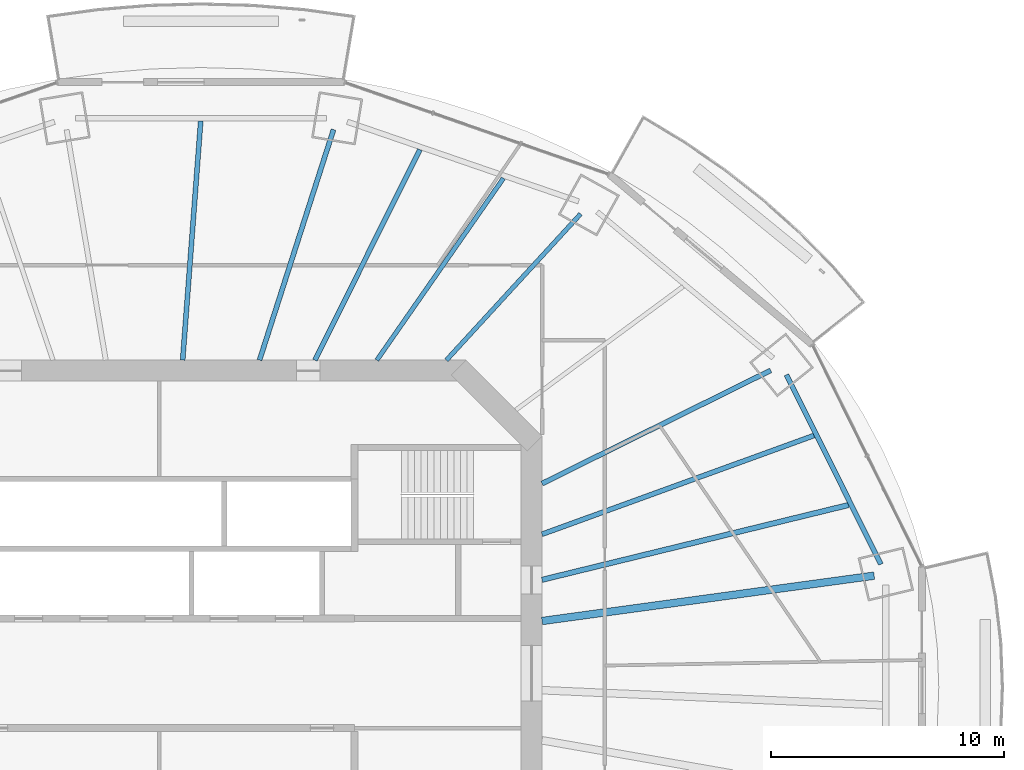
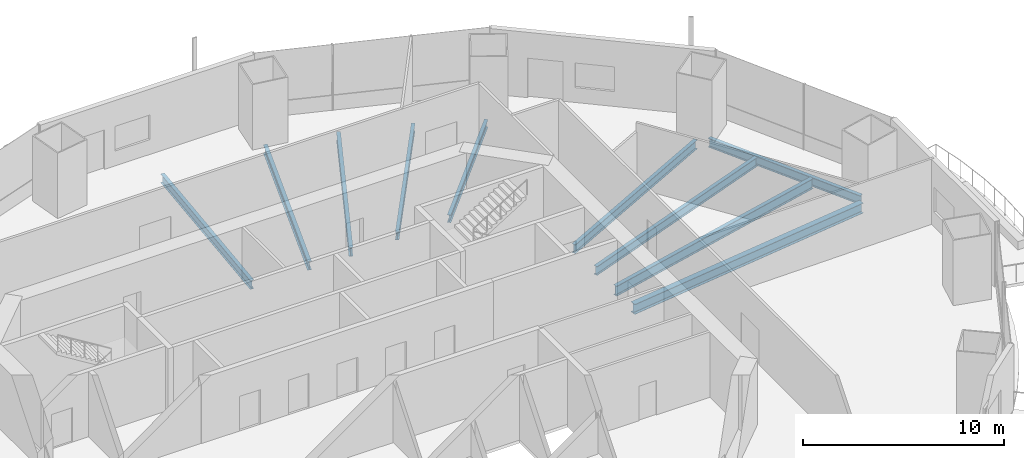
# One storey, part 7 of 21: 10 beams.
"""IFC4 building model written with IfcOpenShell, lengths in metres."""

from ifc_helpers import new_model, si_unit, direction, frame, origin, origin_2d, place, context, subcontext, project, spatial, i_section, extrude, material, material_profile, profile_set, type_object, element, save


model = new_model("IFC4")

# Units and contexts
model_context = context("Model", 3, precision=1e-05, world=origin(), true_north=direction((0.0, 1.0)))
body_context = subcontext(model_context, "Body", "Model", "MODEL_VIEW")
ifc_project = project(units=[si_unit("LENGTHUNIT", "METRE"), si_unit("AREAUNIT", "SQUARE_METRE"), si_unit("VOLUMEUNIT", "CUBIC_METRE"), si_unit("PLANEANGLEUNIT", "RADIAN"), si_unit("MASSUNIT", "GRAM", prefix="KILO")], contexts=[model_context])

# Site, building, storey
site_placement = place(None, origin())
site = spatial("IfcSite", under=ifc_project, at=site_placement, CompositionType="ELEMENT")
building_placement = place(site_placement, origin())
building = spatial("IfcBuilding", under=site, at=building_placement, Name="Marenthal Gate Tower", CompositionType="ELEMENT")
storey_placement = place(building_placement, frame((0.0, 0.0, 206.699951171875)))
storey = spatial("IfcBuildingStorey", under=building, at=storey_placement, Name="L45", CompositionType="ELEMENT", Elevation=206.699951171875)

# Beams
ifc_material_1 = material(Name="Steel S355", Category="steel")
ifc_material_profile_1 = material_profile(ifc_material_1, i_section(OverallWidth=0.193115234375, OverallDepth=0.467041015625, WebThickness=0.011474609375, FlangeThickness=0.01904296875, FilletRadius=0.010009765625, at=origin_2d()), Name="W460X97")
ifc_profile_set_1 = profile_set([ifc_material_profile_1], Name="Steel S355")
beam_type_1 = type_object("IfcBeamType", Name="W460X97 beam", PredefinedType="BEAM", material=ifc_profile_set_1)
beam_1_placement = place(storey_placement, frame((18.10546875, 19.726806640625, -0.413330078125), z_axis=(-0.676183850406, -0.73673292342, 0.0), x_axis=(0.73673292342, -0.676183850406, 0.0)))
element("IfcBeam", 1, at=beam_1_placement, inside=storey, type_object=beam_type_1, Name="BM-L45-03", PredefinedType="BEAM", context=body_context, shape_type="SweptSolid", body=[
    extrude(i_section(OverallWidth=0.193115234375, OverallDepth=0.467041015625, WebThickness=0.011474609375, FlangeThickness=0.01904296875, FilletRadius=0.010009765625, at=origin_2d()), origin(), (0.0, 0.0, 1.0), 8.519775390625),
])
beam_2_placement = place(storey_placement, frame((14.790771484375, 21.258544921875, -0.413330078125), z_axis=(-0.571120884229, -0.820865966889, 0.0), x_axis=(0.820865966889, -0.571120884229, 0.0)))
element("IfcBeam", 2, at=beam_2_placement, inside=storey, type_object=beam_type_1, Name="BM-L45-20", PredefinedType="BEAM", context=body_context, shape_type="SweptSolid", body=[
    extrude(i_section(OverallWidth=0.193115234375, OverallDepth=0.467041015625, WebThickness=0.011474609375, FlangeThickness=0.01904296875, FilletRadius=0.010009765625, at=origin_2d()), origin(), (0.0, 0.0, 1.0), 9.5126953125),
])
ifc_material_2 = material(Name="Steel S355", Category="steel")
ifc_material_profile_2 = material_profile(ifc_material_2, i_section(OverallWidth=0.2099609375, OverallDepth=0.535888671875, WebThickness=0.010986328125, FlangeThickness=0.017333984375, FilletRadius=0.0126953125, at=origin_2d()), Name="W530X101")
ifc_profile_set_2 = profile_set([ifc_material_profile_2], Name="Steel S355")
beam_type_2 = type_object("IfcBeamType", Name="W530X101 beam", PredefinedType="BEAM", material=ifc_profile_set_2)
beam_3_placement = place(storey_placement, frame((11.20361328125, 22.492919921875, -0.447998046875), z_axis=(-0.445859796425, -0.895102810817, 0.0), x_axis=(0.895102810817, -0.445859796425, 0.0)))
element("IfcBeam", 3, at=beam_3_placement, inside=storey, type_object=beam_type_2, Name="BM-L45-21", PredefinedType="BEAM", context=body_context, shape_type="SweptSolid", body=[
    extrude(i_section(OverallWidth=0.2099609375, OverallDepth=0.535888671875, WebThickness=0.010986328125, FlangeThickness=0.017333984375, FilletRadius=0.0126953125, at=origin_2d()), origin(), (0.0, 0.0, 1.0), 10.102783203125),
])
beam_4_placement = place(storey_placement, frame((1.79150390625, 23.7216796875, -0.447998046875), z_axis=(-0.07532080965, -0.99715935318, 0.0), x_axis=(0.99715935318, -0.07532080965, 0.0)))
element("IfcBeam", 4, at=beam_4_placement, inside=storey, type_object=beam_type_2, Name="BM-L45-22", PredefinedType="BEAM", context=body_context, shape_type="SweptSolid", body=[
    extrude(i_section(OverallWidth=0.2099609375, OverallDepth=0.535888671875, WebThickness=0.010986328125, FlangeThickness=0.017333984375, FilletRadius=0.0126953125, at=origin_2d()), origin(), (0.0, 0.0, 1.0), 10.301025390625),
])
ifc_material_3 = material(Name="Steel S355", Category="steel")
ifc_material_profile_3 = material_profile(ifc_material_3, i_section(OverallWidth=0.2119140625, OverallDepth=0.5439453125, WebThickness=0.01318359375, FlangeThickness=0.021240234375, FilletRadius=0.0126953125, at=origin_2d()), Name="W530X123")
ifc_profile_set_3 = profile_set([ifc_material_profile_3], Name="Steel S355")
beam_type_3 = type_object("IfcBeamType", Name="W530X123 beam", PredefinedType="BEAM", material=ifc_profile_set_3)
beam_5_placement = place(storey_placement, frame((26.267822265625, 13.009521484375, -0.451904296875), z_axis=(-0.89611433434, -0.443823275403, 0.0), x_axis=(0.443823275403, -0.89611433434, 0.0)))
element("IfcBeam", 5, at=beam_5_placement, inside=storey, type_object=beam_type_3, Name="BM-L45-02", PredefinedType="BEAM", context=body_context, shape_type="SweptSolid", body=[
    extrude(i_section(OverallWidth=0.2119140625, OverallDepth=0.5439453125, WebThickness=0.01318359375, FlangeThickness=0.021240234375, FilletRadius=0.0126953125, at=origin_2d()), origin(), (0.0, 0.0, 1.0), 10.9560546875),
])
beam_6_placement = place(storey_placement, frame((7.494873046875, 23.349853515625, -0.451904296875), z_axis=(-0.30560630991, -0.95215796134, 0.0), x_axis=(0.95215796134, -0.30560630991, 0.0)))
element("IfcBeam", 6, at=beam_6_placement, inside=storey, type_object=beam_type_3, Name="BM-L45-04", PredefinedType="BEAM", context=body_context, shape_type="SweptSolid", body=[
    extrude(i_section(OverallWidth=0.2119140625, OverallDepth=0.5439453125, WebThickness=0.01318359375, FlangeThickness=0.021240234375, FilletRadius=0.0126953125, at=origin_2d()), origin(), (0.0, 0.0, 1.0), 10.397216796875),
])
beam_7_placement = place(storey_placement, frame((28.1298828125, 10.2119140625, -0.451904296875), z_axis=(-0.939974568128, -0.341244503653, 0.0), x_axis=(0.341244503653, -0.939974568128, 0.0)))
element("IfcBeam", 7, at=beam_7_placement, inside=storey, type_object=beam_type_3, Name="BM-L45-18", PredefinedType="BEAM", context=body_context, shape_type="SweptSolid", body=[
    extrude(i_section(OverallWidth=0.2119140625, OverallDepth=0.5439453125, WebThickness=0.01318359375, FlangeThickness=0.021240234375, FilletRadius=0.0126953125, at=origin_2d()), origin(), (0.0, 0.0, 1.0), 12.42578125),
])
beam_8_placement = place(storey_placement, frame((31.003662109375, 4.685791015625, -0.451904296875), z_axis=(-0.446214029057, 0.894926276446, 0.0), x_axis=(-0.894926276446, -0.446214029057, 0.0)))
element("IfcBeam", 8, at=beam_8_placement, inside=storey, type_object=beam_type_3, Name="BM-L45-41", PredefinedType="BEAM", context=body_context, shape_type="SweptSolid", body=[
    extrude(i_section(OverallWidth=0.2119140625, OverallDepth=0.5439453125, WebThickness=0.01318359375, FlangeThickness=0.021240234375, FilletRadius=0.0126953125, at=origin_2d()), origin(), (0.0, 0.0, 1.0), 9.088623046875),
])
ifc_material_4 = material(Name="Steel S355", Category="steel")
ifc_material_profile_4 = material_profile(ifc_material_4, i_section(OverallWidth=0.22900390625, OverallDepth=0.612060546875, WebThickness=0.011962890625, FlangeThickness=0.01953125, FilletRadius=0.0126953125, at=origin_2d()), Name="W610X125")
ifc_profile_set_4 = profile_set([ifc_material_profile_4], Name="Steel S355")
beam_type_4 = type_object("IfcBeamType", Name="W610X125 beam", PredefinedType="BEAM", material=ifc_profile_set_4)
beam_9_placement = place(storey_placement, frame((29.617431640625, 7.228759765625, -0.48583984375), z_axis=(-0.971481489313, -0.237115406336, 0.0), x_axis=(0.237115406336, -0.971481489313, 0.0)))
element("IfcBeam", 9, at=beam_9_placement, inside=storey, type_object=beam_type_4, Name="BM-L45-17", PredefinedType="BEAM", context=body_context, shape_type="SweptSolid", body=[
    extrude(i_section(OverallWidth=0.22900390625, OverallDepth=0.612060546875, WebThickness=0.011962890625, FlangeThickness=0.01953125, FilletRadius=0.0126953125, at=origin_2d()), origin(), (0.0, 0.0, 1.0), 13.553955078125),
])
ifc_material_5 = material(Name="Steel S355", Category="steel")
ifc_material_profile_5 = material_profile(ifc_material_5, i_section(OverallWidth=0.324951171875, OverallDepth=0.612060546875, WebThickness=0.0126953125, FlangeThickness=0.01904296875, FilletRadius=0.0126953125, at=origin_2d()), Name="W610X155")
ifc_profile_set_5 = profile_set([ifc_material_profile_5], Name="Steel S355")
beam_type_5 = type_object("IfcBeamType", Name="W610X155 beam", PredefinedType="BEAM", material=ifc_profile_set_5)
beam_10_placement = place(storey_placement, frame((30.71533203125, 4.1923828125, -0.48583984375), z_axis=(-0.990813960632, -0.135232005888, 0.0), x_axis=(0.135232005888, -0.990813960632, 0.0)))
element("IfcBeam", 10, at=beam_10_placement, inside=storey, type_object=beam_type_5, Name="BM-L45-01", PredefinedType="BEAM", context=body_context, shape_type="SweptSolid", body=[
    extrude(i_section(OverallWidth=0.324951171875, OverallDepth=0.612060546875, WebThickness=0.0126953125, FlangeThickness=0.01904296875, FilletRadius=0.0126953125, at=origin_2d()), origin(), (0.0, 0.0, 1.0), 14.397705078125),
])

save(model, "model.ifc")
